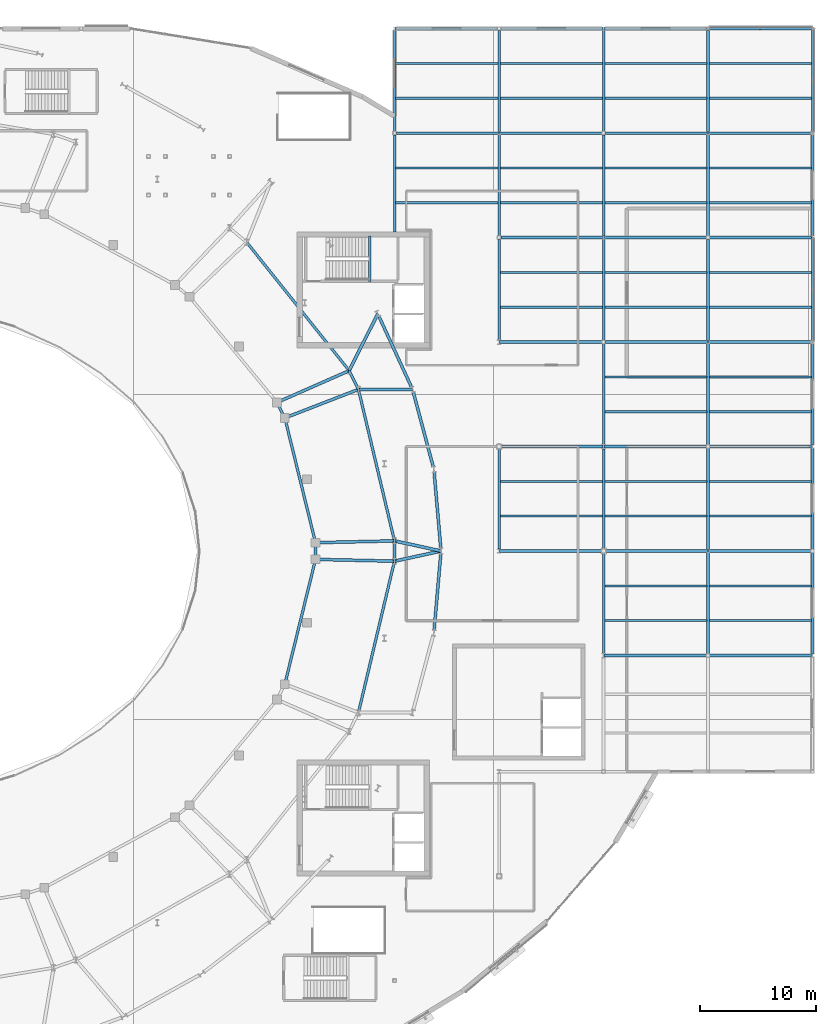
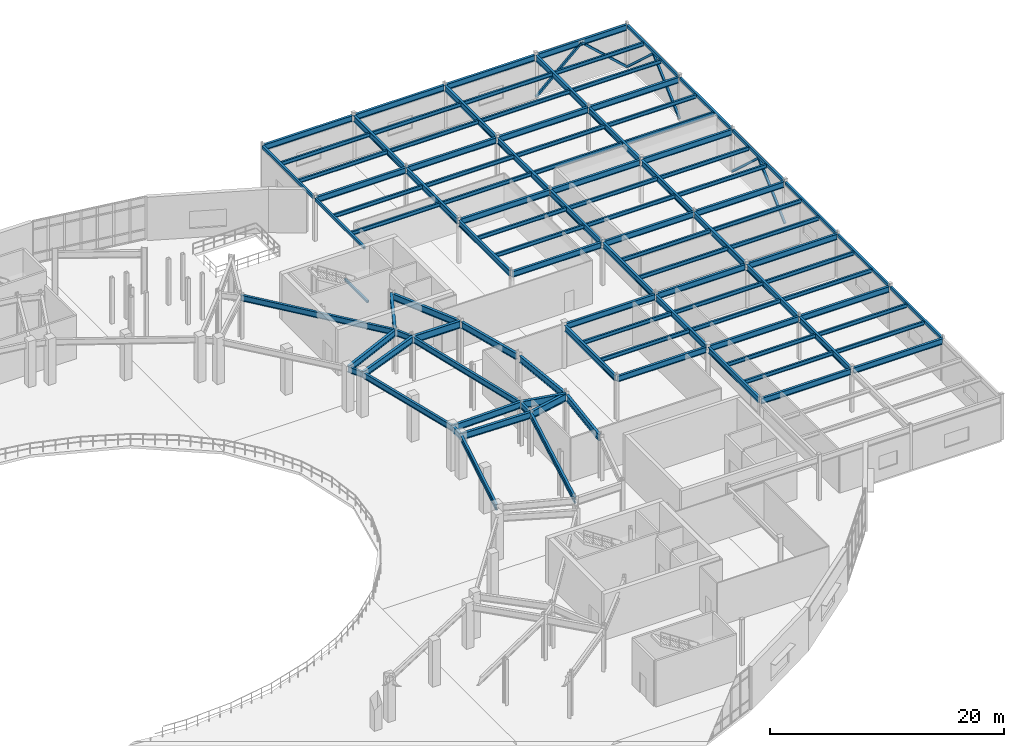
# One storey, part 51 of 86: 104 beams, 6 members.
"""IFC4 building model written with IfcOpenShell, lengths in metres."""

import ifcopenshell
import ifcopenshell.guid

model = None  # the IFC model being written
_history = None  # IfcOwnerHistory: only IFC2X3 demands one
_inside = {}  # id of a spatial element -> (the spatial element, [elements in it])
_under = {}  # id of a project, library or spatial element -> (it, [spatial elements below it])
_declared = {}  # id of a project -> (the project, [libraries it declares])
_typed = {}  # id of a type object -> (the type object, [elements of that type])
_made_of = {}  # id of a material, layer set ... -> (it, [elements and type objects made of it])


def new_model(schema):
    """Start an empty IFC model of exactly this schema.

    Asked for "IFC4X3", IfcOpenShell would pick the latest addendum, in which some entities
    have other attributes; the version numbers below select the first issue.
    IFC2X3 requires an IfcOwnerHistory on every rooted entity: one is made here for all.
    """
    global model, _history
    if schema == "IFC4X3":
        model = ifcopenshell.file(schema_version=(4, 3, 0, 0))
    else:
        model = ifcopenshell.file(schema=schema)
    _inside.clear()
    _under.clear()
    _declared.clear()
    _typed.clear()
    _made_of.clear()
    _history = None
    if model.schema == "IFC2X3":
        org = make("IfcOrganization", Name="unknown")
        user = make(
            "IfcPersonAndOrganization",
            ThePerson=make("IfcPerson", FamilyName="unknown"),
            TheOrganization=org,
        )
        app = make(
            "IfcApplication",
            ApplicationDeveloper=org,
            Version="unknown",
            ApplicationFullName="unknown",
            ApplicationIdentifier="unknown",
        )
        _history = make(
            "IfcOwnerHistory",
            OwningUser=user,
            OwningApplication=app,
            ChangeAction="ADDED",
            CreationDate=0,
        )
    return model


def make(cls, **values):
    """One entity of the class cls with the attributes given. An attribute that is None is left unset."""
    return model.create_entity(
        cls, **{name: value for name, value in values.items() if value is not None}
    )


def rooted(cls, **values):
    """An entity with a GlobalId (a new one), such as an element, a storey or a relation."""
    return make(cls, GlobalId=ifcopenshell.guid.new(), OwnerHistory=_history, **values)


def si_unit(unit_type, name, prefix=None):
    """IfcSIUnit, for example si_unit("LENGTHUNIT", "METRE", prefix="MILLI")."""
    return make("IfcSIUnit", UnitType=unit_type, Prefix=prefix, Name=name)


def assignment(units):
    """IfcUnitAssignment: the units of a project."""
    return None if units is None else make("IfcUnitAssignment", Units=units)


def point(xyz):
    """IfcCartesianPoint."""
    return None if xyz is None else make("IfcCartesianPoint", Coordinates=xyz)


def direction(xyz):
    """IfcDirection."""
    return None if xyz is None else make("IfcDirection", DirectionRatios=xyz)


def frame(location, z_axis=None, x_axis=None):
    """IfcAxis2Placement3D, a coordinate frame: its origin and axes. An axis left out is left unset."""
    return make(
        "IfcAxis2Placement3D",
        Location=point(location),
        Axis=direction(z_axis),
        RefDirection=direction(x_axis),
    )


def frame_2d(location, x_axis=None):
    """IfcAxis2Placement2D, a coordinate frame in the plane: its origin and x axis."""
    return make(
        "IfcAxis2Placement2D", Location=point(location), RefDirection=direction(x_axis)
    )


def origin():
    """The frame at (0, 0, 0) with its axes left unset."""
    return frame((0.0, 0.0, 0.0))


def origin_2d():
    """The frame at (0, 0) in the plane with its x axis left unset."""
    return frame_2d((0.0, 0.0))


def place(relative_to, where):
    """IfcLocalPlacement: puts the frame where relative to a parent placement (None: the world)."""
    return make(
        "IfcLocalPlacement", PlacementRelTo=relative_to, RelativePlacement=where
    )


def context(
    kind, dimensions, precision=None, world=None, true_north=None, identifier=None
):
    """IfcGeometricRepresentationContext, for example the 3D "Model" context."""
    return make(
        "IfcGeometricRepresentationContext",
        ContextIdentifier=identifier,
        ContextType=kind,
        CoordinateSpaceDimension=dimensions,
        Precision=precision,
        WorldCoordinateSystem=world,
        TrueNorth=true_north,
    )


def subcontext(parent, identifier, kind, view, scale=None):
    """IfcGeometricRepresentationSubContext, for example "Body" below "Model"."""
    return make(
        "IfcGeometricRepresentationSubContext",
        ContextIdentifier=identifier,
        ContextType=kind,
        ParentContext=parent,
        TargetScale=scale,
        TargetView=view,
    )


def project(units=None, contexts=None):
    """IfcProject with its units and contexts."""
    return rooted(
        "IfcProject",
        Name="project",
        RepresentationContexts=contexts,
        UnitsInContext=assignment(units),
    )


def spatial(cls, under=None, at=None, **own):
    """A site, building, storey or space (cls), placed at a placement, below another one or the project."""
    s = rooted(cls, ObjectPlacement=at, **own)
    if under is not None:
        _under.setdefault(under.id(), (under, []))[1].append(s)
    return s


def profile(cls, at=None, kind="AREA", **sizes):
    """A parametric profile (cls). Its sizes go by their IFC names, for example OverallWidth=200.0."""
    return make(cls, ProfileType=kind, Position=at, **sizes)


def hollow_rectangle(**sizes):
    """IfcRectangleHollowProfileDef."""
    return profile("IfcRectangleHollowProfileDef", **sizes)


def i_section(**sizes):
    """IfcIShapeProfileDef."""
    return profile("IfcIShapeProfileDef", **sizes)


def extrude(swept, where, along, depth):
    """IfcExtrudedAreaSolid: the profile swept, set in the frame where, extruded along a direction by depth."""
    return make(
        "IfcExtrudedAreaSolid",
        SweptArea=swept,
        Position=where,
        ExtrudedDirection=direction(along),
        Depth=depth,
    )


def shape(context_of_items, identifier, shape_type, items):
    """IfcShapeRepresentation: the items that make up one representation, for example the "Body"."""
    return make(
        "IfcShapeRepresentation",
        ContextOfItems=context_of_items,
        RepresentationIdentifier=identifier,
        RepresentationType=shape_type,
        Items=items,
    )


def material(Name=None, Category=None):
    """IfcMaterial."""
    return make("IfcMaterial", Name=Name, Category=Category)


def material_profile(
    of_material, cross_section, Name=None, Category=None, Priority=None
):
    """IfcMaterialProfile: a cross section and its material."""
    return make(
        "IfcMaterialProfile",
        Name=Name,
        Material=of_material,
        Profile=cross_section,
        Priority=Priority,
        Category=Category,
    )


def profile_set(profiles, Name=None, composite=None):
    """IfcMaterialProfileSet."""
    return make(
        "IfcMaterialProfileSet",
        Name=Name,
        MaterialProfiles=profiles,
        CompositeProfile=composite,
    )


def made_of(thing, what):
    """Note that an element or type object is made of a material, layer set ...; save() writes the relation."""
    if what is not None:
        _made_of.setdefault(what.id(), (what, []))[1].append(thing)
    return thing


def type_object(cls, material=None, **own):
    """A type object (cls), such as IfcWallType, which elements share."""
    return made_of(rooted(cls, **own), material)


def element(
    cls,
    number,
    at=None,
    inside=None,
    cuts=None,
    type_object=None,
    material=None,
    context=None,
    identifier="Body",
    shape_type=None,
    held_by="IfcProductDefinitionShape",
    body=None,
    shapes=None,
    **own,
):
    """One element of the class cls, such as IfcWall. Its Tag is "e" and its number.

    at: its placement. inside: the storey or other place that contains it. cuts: it is an
    opening in that element (IfcRelVoidsElement). A single representation is given by context,
    identifier, shape_type and body (its items); several are given by shapes. held_by: the class
    of the entity that holds the representations. save() writes the other relations.
    """
    e = rooted(cls, Tag="e%d" % number, ObjectPlacement=at, **own)
    if body is not None:
        shapes = [shape(context, identifier, shape_type, body)]
    if shapes is not None:
        e.Representation = make(held_by, Representations=shapes)
    if inside is not None:
        _inside.setdefault(inside.id(), (inside, []))[1].append(e)
    if cuts is not None:
        rooted(
            "IfcRelVoidsElement", RelatingBuildingElement=cuts, RelatedOpeningElement=e
        )
    if type_object is not None:
        _typed.setdefault(type_object.id(), (type_object, []))[1].append(e)
    return made_of(e, material)


def aggregate(whole, parts):
    """IfcRelAggregates: a whole, such as a stair, and the parts it consists of."""
    return rooted("IfcRelAggregates", RelatingObject=whole, RelatedObjects=parts)


def save(model, path):
    """Write the relations noted so far, then the file.

    IfcRelAggregates (storeys below a building ...), IfcRelContainedInSpatialStructure (elements
    in a storey), IfcRelDefinesByType, IfcRelAssociatesMaterial and IfcRelDeclares: one each for
    every whole, place, type object, material and project.
    """
    for whole, parts in _under.values():
        aggregate(whole, parts)
    for where, things in _inside.values():
        rooted(
            "IfcRelContainedInSpatialStructure",
            RelatedElements=things,
            RelatingStructure=where,
        )
    for kind, things in _typed.values():
        rooted("IfcRelDefinesByType", RelatedObjects=things, RelatingType=kind)
    for what, things in _made_of.values():
        rooted("IfcRelAssociatesMaterial", RelatedObjects=things, RelatingMaterial=what)
    for by, libraries in _declared.values():
        rooted("IfcRelDeclares", RelatingContext=by, RelatedDefinitions=libraries)
    model.write(path)


model = new_model("IFC4")

# Units and contexts
model_context = context("Model", 3, precision=1e-05, world=origin(), true_north=direction((0.0, 1.0)))
body_context = subcontext(model_context, "Body", "Model", "MODEL_VIEW")
ifc_project = project(units=[si_unit("LENGTHUNIT", "METRE"), si_unit("AREAUNIT", "SQUARE_METRE"), si_unit("VOLUMEUNIT", "CUBIC_METRE"), si_unit("PLANEANGLEUNIT", "RADIAN"), si_unit("MASSUNIT", "GRAM", prefix="KILO")], contexts=[model_context])

# Site, building, storey
site_placement = place(None, origin())
site = spatial("IfcSite", under=ifc_project, at=site_placement, CompositionType="ELEMENT")
building_placement = place(site_placement, origin())
building = spatial("IfcBuilding", under=site, at=building_placement, Name="Glasvene Arena", CompositionType="ELEMENT")
storey_placement = place(building_placement, frame((0.0, 0.0, 5.39990234375)))
storey = spatial("IfcBuildingStorey", under=building, at=storey_placement, Name="L01", CompositionType="ELEMENT", Elevation=5.39990234375)

# Beams
ifc_material = material(Name="Steel S355J2", Category="steel")
ifc_material_profile_1 = material_profile(ifc_material, i_section(OverallWidth=0.228271484375, OverallDepth=0.607666015625, WebThickness=0.010986328125, FlangeThickness=0.017333984375, FilletRadius=0.0126953125, at=origin_2d()), Name="UKB 610x229x113")
ifc_profile_set_1 = profile_set([ifc_material_profile_1], Name="Steel S355J2")
beam_type_1 = type_object("IfcBeamType", Name="BM-GIRD-610", PredefinedType="BEAM", material=ifc_profile_set_1)
for number, where, z_axis, x_axis, name in (
    (1, (156.050048828125, 64.0, 4.21630859375), (1.0, 0.0, 0.0), (0.0, 1.0, 0.0), "Primary X girder L01-0564"),
    (2, (165.14501953125, 64.0, 4.21630859375), (1.0, 0.0, 0.0), (0.0, 1.0, 0.0), "Primary X girder L01-0565"),
):
    element("IfcBeam", number, at=place(storey_placement, frame(where, z_axis=z_axis, x_axis=x_axis)), inside=storey, type_object=beam_type_1, Name=name, PredefinedType="BEAM", context=body_context, shape_type="SweptSolid", body=[
        extrude(i_section(OverallWidth=0.228271484375, OverallDepth=0.607666015625, WebThickness=0.010986328125, FlangeThickness=0.017333984375, FilletRadius=0.0126953125, at=origin_2d()), origin(), (0.0, 0.0, 1.0), 8.804931640625),
    ])
for number, where, z_axis, x_axis, name in (
    (3, (147.050048828125, 73.0, 4.21630859375), (1.0, 0.0, 0.0), (0.0, 1.0, 0.0), "Primary X girder L01-0569"),
    (4, (156.1982421875, 73.0, 4.21630859375), (1.0, 0.0, 0.0), (0.0, 1.0, 0.0), "Primary X girder L01-0570"),
):
    element("IfcBeam", number, at=place(storey_placement, frame(where, z_axis=z_axis, x_axis=x_axis)), inside=storey, type_object=beam_type_1, Name=name, PredefinedType="BEAM", context=body_context, shape_type="SweptSolid", body=[
        extrude(i_section(OverallWidth=0.228271484375, OverallDepth=0.607666015625, WebThickness=0.010986328125, FlangeThickness=0.017333984375, FilletRadius=0.0126953125, at=origin_2d()), origin(), (0.0, 0.0, 1.0), 8.751708984375),
    ])
beam_1_placement = place(storey_placement, frame((165.050048828125, 73.0, 4.21630859375), z_axis=(1.0, 0.0, 0.0), x_axis=(0.0, 1.0, 0.0)))
element("IfcBeam", 5, at=beam_1_placement, inside=storey, type_object=beam_type_1, Name="Primary X girder L01-0571", PredefinedType="BEAM", context=body_context, shape_type="SweptSolid", body=[
    extrude(i_section(OverallWidth=0.228271484375, OverallDepth=0.607666015625, WebThickness=0.010986328125, FlangeThickness=0.017333984375, FilletRadius=0.0126953125, at=origin_2d()), origin(), (0.0, 0.0, 1.0), 8.804931640625),
])
beam_2_placement = place(storey_placement, frame((147.223388671875, 82.0, 4.21630859375), z_axis=(1.0, 0.0, 0.0), x_axis=(0.0, 1.0, 0.0)))
element("IfcBeam", 6, at=beam_2_placement, inside=storey, type_object=beam_type_1, Name="Primary X girder L01-0572", PredefinedType="BEAM", context=body_context, shape_type="SweptSolid", body=[
    extrude(i_section(OverallWidth=0.228271484375, OverallDepth=0.607666015625, WebThickness=0.010986328125, FlangeThickness=0.017333984375, FilletRadius=0.0126953125, at=origin_2d()), origin(), (0.0, 0.0, 1.0), 8.7265625),
])
for number, where, z_axis, x_axis, name in (
    (7, (156.050048828125, 82.0, 4.21630859375), (1.0, 0.0, 0.0), (0.0, 1.0, 0.0), "Primary X girder L01-0573"),
    (8, (165.14501953125, 82.0, 4.21630859375), (1.0, 0.0, 0.0), (0.0, 1.0, 0.0), "Primary X girder L01-0574"),
    (9, (147.050048828125, 91.0, 4.21630859375), (1.0, 0.0, 0.0), (0.0, 1.0, 0.0), "Primary X girder L01-0575"),
    (10, (156.14501953125, 91.0, 4.21630859375), (1.0, 0.0, 0.0), (0.0, 1.0, 0.0), "Primary X girder L01-0576"),
    (11, (165.050048828125, 91.0, 4.21630859375), (1.0, 0.0, 0.0), (0.0, 1.0, 0.0), "Primary X girder L01-0577"),
    (12, (147.14501953125, 100.0, 4.21630859375), (1.0, 0.0, 0.0), (0.0, 1.0, 0.0), "Primary X girder L01-0578"),
    (13, (156.050048828125, 100.0, 4.21630859375), (1.0, 0.0, 0.0), (0.0, 1.0, 0.0), "Primary X girder L01-0579"),
    (14, (165.14501953125, 100.0, 4.21630859375), (1.0, 0.0, 0.0), (0.0, 1.0, 0.0), "Primary X girder L01-0580"),
    (15, (138.14501953125, 109.0, 4.21630859375), (1.0, 0.0, 0.0), (0.0, 1.0, 0.0), "Primary X girder L01-0586"),
    (16, (147.050048828125, 109.0, 4.21630859375), (1.0, 0.0, 0.0), (0.0, 1.0, 0.0), "Primary X girder L01-0587"),
    (17, (156.14501953125, 109.0, 4.21630859375), (1.0, 0.0, 0.0), (0.0, 1.0, 0.0), "Primary X girder L01-0588"),
    (18, (165.050048828125, 109.0, 4.21630859375), (1.0, 0.0, 0.0), (0.0, 1.0, 0.0), "Primary X girder L01-0589"),
    (19, (138.050048828125, 118.0, 4.21630859375), (1.0, 0.0, 0.0), (0.0, 1.0, 0.0), "Primary X girder L01-0595"),
    (20, (147.14501953125, 118.0, 4.21630859375), (1.0, 0.0, 0.0), (0.0, 1.0, 0.0), "Primary X girder L01-0596"),
    (21, (156.050048828125, 118.0, 4.21630859375), (1.0, 0.0, 0.0), (0.0, 1.0, 0.0), "Primary X girder L01-0597"),
    (22, (165.14501953125, 118.0, 4.21630859375), (1.0, 0.0, 0.0), (0.0, 1.0, 0.0), "Primary X girder L01-0598"),
):
    element("IfcBeam", number, at=place(storey_placement, frame(where, z_axis=z_axis, x_axis=x_axis)), inside=storey, type_object=beam_type_1, Name=name, PredefinedType="BEAM", context=body_context, shape_type="SweptSolid", body=[
        extrude(i_section(OverallWidth=0.228271484375, OverallDepth=0.607666015625, WebThickness=0.010986328125, FlangeThickness=0.017333984375, FilletRadius=0.0126953125, at=origin_2d()), origin(), (0.0, 0.0, 1.0), 8.804931640625),
    ])
beam_3_placement = place(storey_placement, frame((147.0, 73.1552734375, 4.21630859375), z_axis=(0.0, 1.0, 0.0), x_axis=(-1.0, 0.0, 0.0)))
element("IfcBeam", 23, at=beam_3_placement, inside=storey, type_object=beam_type_1, Name="Primary Y girder L01-0651", PredefinedType="BEAM", context=body_context, shape_type="SweptSolid", body=[
    extrude(i_section(OverallWidth=0.228271484375, OverallDepth=0.607666015625, WebThickness=0.010986328125, FlangeThickness=0.017333984375, FilletRadius=0.0126953125, at=origin_2d()), origin(), (0.0, 0.0, 1.0), 8.621337890625),
])
beam_4_placement = place(storey_placement, frame((147.0, 91.195068359375, 4.21630859375), z_axis=(0.0, 1.0, 0.0), x_axis=(-1.0, 0.0, 0.0)))
element("IfcBeam", 24, at=beam_4_placement, inside=storey, type_object=beam_type_1, Name="Primary Y girder L01-0652", PredefinedType="BEAM", context=body_context, shape_type="SweptSolid", body=[
    extrude(i_section(OverallWidth=0.228271484375, OverallDepth=0.607666015625, WebThickness=0.010986328125, FlangeThickness=0.017333984375, FilletRadius=0.0126953125, at=origin_2d()), origin(), (0.0, 0.0, 1.0), 8.659912109375),
])
for number, where, z_axis, x_axis, name in (
    (25, (147.0, 100.14501953125, 4.21630859375), (0.0, 1.0, 0.0), (-1.0, 0.0, 0.0), "Primary Y girder L01-0653"),
    (26, (147.0, 109.125244140625, 4.21630859375), (0.0, 1.0, 0.0), (-1.0, 0.0, 0.0), "Primary Y girder L01-0654"),
):
    element("IfcBeam", number, at=place(storey_placement, frame(where, z_axis=z_axis, x_axis=x_axis)), inside=storey, type_object=beam_type_1, Name=name, PredefinedType="BEAM", context=body_context, shape_type="SweptSolid", body=[
        extrude(i_section(OverallWidth=0.228271484375, OverallDepth=0.607666015625, WebThickness=0.010986328125, FlangeThickness=0.017333984375, FilletRadius=0.0126953125, at=origin_2d()), origin(), (0.0, 0.0, 1.0), 8.729736328125),
    ])
for number, where, z_axis, x_axis, name in (
    (27, (156.0, 64.195068359375, 4.21630859375), (0.0, 1.0, 0.0), (-1.0, 0.0, 0.0), "Primary Y girder L01-0656"),
    (28, (156.0, 73.1982421875, 4.21630859375), (0.0, 1.0, 0.0), (-1.0, 0.0, 0.0), "Primary Y girder L01-0657"),
):
    element("IfcBeam", number, at=place(storey_placement, frame(where, z_axis=z_axis, x_axis=x_axis)), inside=storey, type_object=beam_type_1, Name=name, PredefinedType="BEAM", context=body_context, shape_type="SweptSolid", body=[
        extrude(i_section(OverallWidth=0.228271484375, OverallDepth=0.607666015625, WebThickness=0.010986328125, FlangeThickness=0.017333984375, FilletRadius=0.0126953125, at=origin_2d()), origin(), (0.0, 0.0, 1.0), 8.606689453125),
    ])
beam_5_placement = place(storey_placement, frame((156.0, 82.195068359375, 4.21630859375), z_axis=(0.0, 1.0, 0.0), x_axis=(-1.0, 0.0, 0.0)))
element("IfcBeam", 29, at=beam_5_placement, inside=storey, type_object=beam_type_1, Name="Primary Y girder L01-0658", PredefinedType="BEAM", context=body_context, shape_type="SweptSolid", body=[
    extrude(i_section(OverallWidth=0.228271484375, OverallDepth=0.607666015625, WebThickness=0.010986328125, FlangeThickness=0.017333984375, FilletRadius=0.0126953125, at=origin_2d()), origin(), (0.0, 0.0, 1.0), 8.659912109375),
])
for number, where, z_axis, x_axis, name in (
    (30, (156.0, 91.14501953125, 4.21630859375), (0.0, 1.0, 0.0), (-1.0, 0.0, 0.0), "Primary Y girder L01-0659"),
    (31, (156.0, 100.125244140625, 4.21630859375), (0.0, 1.0, 0.0), (-1.0, 0.0, 0.0), "Primary Y girder L01-0660"),
    (32, (156.0, 109.14501953125, 4.21630859375), (0.0, 1.0, 0.0), (-1.0, 0.0, 0.0), "Primary Y girder L01-0661"),
    (33, (165.0, 64.14501953125, 4.21630859375), (0.0, 1.0, 0.0), (-1.0, 0.0, 0.0), "Primary Y girder L01-0663"),
    (34, (165.0, 73.125244140625, 4.21630859375), (0.0, 1.0, 0.0), (-1.0, 0.0, 0.0), "Primary Y girder L01-0664"),
    (35, (165.0, 82.14501953125, 4.21630859375), (0.0, 1.0, 0.0), (-1.0, 0.0, 0.0), "Primary Y girder L01-0665"),
    (36, (165.0, 91.125244140625, 4.21630859375), (0.0, 1.0, 0.0), (-1.0, 0.0, 0.0), "Primary Y girder L01-0666"),
    (37, (165.0, 100.14501953125, 4.21630859375), (0.0, 1.0, 0.0), (-1.0, 0.0, 0.0), "Primary Y girder L01-0667"),
    (38, (165.0, 109.125244140625, 4.21630859375), (0.0, 1.0, 0.0), (-1.0, 0.0, 0.0), "Primary Y girder L01-0668"),
):
    element("IfcBeam", number, at=place(storey_placement, frame(where, z_axis=z_axis, x_axis=x_axis)), inside=storey, type_object=beam_type_1, Name=name, PredefinedType="BEAM", context=body_context, shape_type="SweptSolid", body=[
        extrude(i_section(OverallWidth=0.228271484375, OverallDepth=0.607666015625, WebThickness=0.010986328125, FlangeThickness=0.017333984375, FilletRadius=0.0126953125, at=origin_2d()), origin(), (0.0, 0.0, 1.0), 8.729736328125),
    ])
beam_6_placement = place(storey_placement, frame((137.98828125, 73.87353515625, 4.215087890625), z_axis=(-0.23122513322, 0.972900271234, 0.0), x_axis=(-0.972900271234, -0.23122513322, 0.0)))
element("IfcBeam", 39, at=beam_6_placement, inside=storey, type_object=beam_type_1, Name="Concourse inner ring girder L01-01", PredefinedType="BEAM", context=body_context, shape_type="SweptSolid", body=[
    extrude(i_section(OverallWidth=0.228271484375, OverallDepth=0.607666015625, WebThickness=0.010986328125, FlangeThickness=0.017333984375, FilletRadius=0.0126953125, at=origin_2d()), origin(), (0.0, 0.0, 1.0), 13.41259765625),
])
beam_7_placement = place(storey_placement, frame((131.18994140625, 73.71923828125, 4.215087890625), z_axis=(-0.23885804662, 0.971054495672, 0.0), x_axis=(-0.971054495672, -0.23885804662, 0.0)))
element("IfcBeam", 40, at=beam_7_placement, inside=storey, type_object=beam_type_1, Name="Mid-bowl ring girder L01-01", PredefinedType="BEAM", context=body_context, shape_type="SweptSolid", body=[
    extrude(i_section(OverallWidth=0.228271484375, OverallDepth=0.607666015625, WebThickness=0.010986328125, FlangeThickness=0.017333984375, FilletRadius=0.0126953125, at=origin_2d()), origin(), (0.0, 0.0, 1.0), 11.064453125),
])
beam_8_placement = place(storey_placement, frame((134.886962890625, 86.922607421875, 4.215087890625), z_axis=(-0.443576698242, 0.896236415672, 0.0), x_axis=(-0.896236415672, -0.443576698242, 0.0)))
element("IfcBeam", 41, at=beam_8_placement, inside=storey, type_object=beam_type_1, Name="Concourse inner ring girder L01-02", PredefinedType="BEAM", context=body_context, shape_type="SweptSolid", body=[
    extrude(i_section(OverallWidth=0.228271484375, OverallDepth=0.607666015625, WebThickness=0.010986328125, FlangeThickness=0.017333984375, FilletRadius=0.0126953125, at=origin_2d()), origin(), (0.0, 0.0, 1.0), 1.80078125),
])
beam_9_placement = place(storey_placement, frame((128.547119140625, 84.46337890625, 4.215087890625), z_axis=(-0.455825325707, 0.890069251488, 0.0), x_axis=(-0.890069251488, -0.455825325707, 0.0)))
element("IfcBeam", 42, at=beam_9_placement, inside=storey, type_object=beam_type_1, Name="Mid-bowl ring girder L01-02", PredefinedType="BEAM", context=body_context, shape_type="SweptSolid", body=[
    extrude(i_section(OverallWidth=0.228271484375, OverallDepth=0.607666015625, WebThickness=0.010986328125, FlangeThickness=0.017333984375, FilletRadius=0.0126953125, at=origin_2d()), origin(), (0.0, 0.0, 1.0), 1.4931640625),
])
beam_10_placement = place(storey_placement, frame((134.088134765625, 88.53662109375, 4.215087890625), z_axis=(-0.623899670594, 0.781504447226, 0.0), x_axis=(-0.781504447226, -0.623899670594, 0.0)))
element("IfcBeam", 43, at=beam_10_placement, inside=storey, type_object=beam_type_1, Name="Concourse inner ring girder L01-03", PredefinedType="BEAM", context=body_context, shape_type="SweptSolid", body=[
    extrude(i_section(OverallWidth=0.228271484375, OverallDepth=0.607666015625, WebThickness=0.010986328125, FlangeThickness=0.017333984375, FilletRadius=0.0126953125, at=origin_2d()), origin(), (0.0, 0.0, 1.0), 14.1552734375),
])
beam_11_placement = place(storey_placement, frame((134.886962890625, 59.077392578125, 4.215087890625), z_axis=(0.23122513322, 0.972900271234, 0.0), x_axis=(-0.972900271234, 0.23122513322, 0.0)))
element("IfcBeam", 44, at=beam_11_placement, inside=storey, type_object=beam_type_1, Name="Concourse inner ring girder L01-31", PredefinedType="BEAM", context=body_context, shape_type="SweptSolid", body=[
    extrude(i_section(OverallWidth=0.228271484375, OverallDepth=0.607666015625, WebThickness=0.010986328125, FlangeThickness=0.017333984375, FilletRadius=0.0126953125, at=origin_2d()), origin(), (0.0, 0.0, 1.0), 13.41259765625),
])
beam_12_placement = place(storey_placement, frame((128.547119140625, 61.53662109375, 4.215087890625), z_axis=(0.23885804662, 0.971054495672, 0.0), x_axis=(-0.971054495672, 0.23885804662, 0.0)))
element("IfcBeam", 45, at=beam_12_placement, inside=storey, type_object=beam_type_1, Name="Mid-bowl ring girder L01-31", PredefinedType="BEAM", context=body_context, shape_type="SweptSolid", body=[
    extrude(i_section(OverallWidth=0.228271484375, OverallDepth=0.607666015625, WebThickness=0.010986328125, FlangeThickness=0.017333984375, FilletRadius=0.0126953125, at=origin_2d()), origin(), (0.0, 0.0, 1.0), 11.064453125),
])
beam_13_placement = place(storey_placement, frame((137.98828125, 72.12646484375, 4.215087890625), z_axis=(0.0, 1.0, 0.0), x_axis=(-1.0, 0.0, 0.0)))
element("IfcBeam", 46, at=beam_13_placement, inside=storey, type_object=beam_type_1, Name="Concourse inner ring girder L01-32", PredefinedType="BEAM", context=body_context, shape_type="SweptSolid", body=[
    extrude(i_section(OverallWidth=0.228271484375, OverallDepth=0.607666015625, WebThickness=0.010986328125, FlangeThickness=0.017333984375, FilletRadius=0.0126953125, at=origin_2d()), origin(), (0.0, 0.0, 1.0), 1.7470703125),
])
beam_14_placement = place(storey_placement, frame((131.18994140625, 72.28076171875, 4.215087890625), z_axis=(0.0, 1.0, 0.0), x_axis=(-1.0, 0.0, 0.0)))
element("IfcBeam", 47, at=beam_14_placement, inside=storey, type_object=beam_type_1, Name="Mid-bowl ring girder L01-32", PredefinedType="BEAM", context=body_context, shape_type="SweptSolid", body=[
    extrude(i_section(OverallWidth=0.228271484375, OverallDepth=0.607666015625, WebThickness=0.010986328125, FlangeThickness=0.017333984375, FilletRadius=0.0126953125, at=origin_2d()), origin(), (0.0, 0.0, 1.0), 1.4384765625),
])
ifc_material_profile_2 = material_profile(ifc_material, i_section(OverallWidth=0.253662109375, OverallDepth=0.68359375, WebThickness=0.012451171875, FlangeThickness=0.01904296875, FilletRadius=0.01513671875, at=origin_2d()), Name="UKB 686x254x140")
ifc_profile_set_2 = profile_set([ifc_material_profile_2], Name="Steel S355J2")
beam_type_2 = type_object("IfcBeamType", Name="BM-GIRD-686", PredefinedType="BEAM", material=ifc_profile_set_2)
beam_15_placement = place(storey_placement, frame((141.97900390625, 73.239013671875, 4.178466796875), z_axis=(-0.087106255104, 0.996199026461, 0.0), x_axis=(-0.996199026461, -0.087106255104, 0.0)))
element("IfcBeam", 48, at=beam_15_placement, inside=storey, type_object=beam_type_2, Name="Bowl ring chord beam L01-01", PredefinedType="BEAM", context=body_context, shape_type="SweptSolid", body=[
    extrude(i_section(OverallWidth=0.253662109375, OverallDepth=0.68359375, WebThickness=0.012451171875, FlangeThickness=0.01904296875, FilletRadius=0.01513671875, at=origin_2d()), origin(), (0.0, 0.0, 1.0), 6.586669921875),
])
beam_16_placement = place(storey_placement, frame((141.322509765625, 80.271484375, 4.178466796875), z_axis=(-0.257729153992, 0.966217202901, 0.0), x_axis=(-0.966217202901, -0.257729153992, 0.0)))
element("IfcBeam", 49, at=beam_16_placement, inside=storey, type_object=beam_type_2, Name="Bowl ring chord beam L01-02", PredefinedType="BEAM", context=body_context, shape_type="SweptSolid", body=[
    extrude(i_section(OverallWidth=0.253662109375, OverallDepth=0.68359375, WebThickness=0.012451171875, FlangeThickness=0.01904296875, FilletRadius=0.01513671875, at=origin_2d()), origin(), (0.0, 0.0, 1.0), 6.626220703125),
])
beam_17_placement = place(storey_placement, frame((139.452392578125, 87.123779296875, 4.178466796875), z_axis=(-0.418069169042, 0.908415196866, 0.0), x_axis=(-0.908415196866, -0.418069169042, 0.0)))
element("IfcBeam", 50, at=beam_17_placement, inside=storey, type_object=beam_type_2, Name="Bowl ring chord beam L01-03", PredefinedType="BEAM", context=body_context, shape_type="SweptSolid", body=[
    extrude(i_section(OverallWidth=0.253662109375, OverallDepth=0.68359375, WebThickness=0.012451171875, FlangeThickness=0.01904296875, FilletRadius=0.01513671875, at=origin_2d()), origin(), (0.0, 0.0, 1.0), 6.70166015625),
])
beam_18_placement = place(storey_placement, frame((141.4052734375, 66.199462890625, 4.178466796875), z_axis=(0.087106255104, 0.996199026461, 0.0), x_axis=(-0.996199026461, 0.087106255104, 0.0)))
element("IfcBeam", 51, at=beam_18_placement, inside=storey, type_object=beam_type_2, Name="Bowl ring chord beam L01-40", PredefinedType="BEAM", context=body_context, shape_type="SweptSolid", body=[
    extrude(i_section(OverallWidth=0.253662109375, OverallDepth=0.68359375, WebThickness=0.012451171875, FlangeThickness=0.01904296875, FilletRadius=0.01513671875, at=origin_2d()), origin(), (0.0, 0.0, 1.0), 6.586669921875),
])
for number, where, z_axis, x_axis, name in (
    (52, (131.18994140625, 73.71923828125, 4.17822265625), (0.9997425394, 0.022690414598, 0.0), (-0.022690414598, 0.9997425394, 0.0), "Mid-to-rear radial girder L01-01"),
    (53, (128.547119140625, 84.46337890625, 4.17822265625), (0.932315610983, 0.361645685052, 0.0), (-0.361645685052, 0.932315610983, 0.0), "Mid-to-rear radial girder L01-02"),
    (54, (127.866455078125, 85.79248046875, 4.17822265625), (0.914956794247, 0.40355181162, 0.0), (-0.40355181162, 0.914956794247, 0.0), "Mid-to-rear radial girder L01-03"),
    (55, (131.18994140625, 72.28076171875, 4.17822265625), (0.9997425394, -0.022690414598, 0.0), (0.022690414598, 0.9997425394, 0.0), "Mid-to-rear radial girder L01-32"),
):
    element("IfcBeam", number, at=place(storey_placement, frame(where, z_axis=z_axis, x_axis=x_axis)), inside=storey, type_object=beam_type_2, Name=name, PredefinedType="BEAM", context=body_context, shape_type="SweptSolid", body=[
        extrude(i_section(OverallWidth=0.253662109375, OverallDepth=0.68359375, WebThickness=0.012451171875, FlangeThickness=0.01904296875, FilletRadius=0.01513671875, at=origin_2d()), origin(), (0.0, 0.0, 1.0), 6.800048828125),
    ])
ifc_material_profile_3 = material_profile(ifc_material, i_section(OverallWidth=0.2666015625, OverallDepth=0.76220703125, WebThickness=0.014404296875, FlangeThickness=0.021484375, FilletRadius=0.0166015625, at=origin_2d()), Name="UKB 762x267x173")
ifc_profile_set_3 = profile_set([ifc_material_profile_3], Name="Steel S355J2")
beam_type_3 = type_object("IfcBeamType", Name="BM-GIRD-762", PredefinedType="BEAM", material=ifc_profile_set_3)
beam_19_placement = place(storey_placement, frame((137.98828125, 73.87353515625, 4.138916015625), z_axis=(0.977104393575, -0.212760438182, 0.0), x_axis=(0.212760438182, 0.977104393575, 0.0)))
element("IfcBeam", 56, at=beam_19_placement, inside=storey, type_object=beam_type_3, Name="Radial concourse girder L01-01", PredefinedType="BEAM", context=body_context, shape_type="SweptSolid", body=[
    extrude(i_section(OverallWidth=0.2666015625, OverallDepth=0.76220703125, WebThickness=0.014404296875, FlangeThickness=0.021484375, FilletRadius=0.0166015625, at=origin_2d()), origin(), (0.0, 0.0, 1.0), 4.105712890625),
])
beam_20_placement = place(storey_placement, frame((134.886962890625, 86.922607421875, 4.138916015625), z_axis=(0.999993482259, -0.003610462575, 0.0), x_axis=(0.003610462575, 0.999993482259, 0.0)))
element("IfcBeam", 57, at=beam_20_placement, inside=storey, type_object=beam_type_3, Name="Radial concourse girder L01-02", PredefinedType="BEAM", context=body_context, shape_type="SweptSolid", body=[
    extrude(i_section(OverallWidth=0.2666015625, OverallDepth=0.76220703125, WebThickness=0.014404296875, FlangeThickness=0.021484375, FilletRadius=0.0166015625, at=origin_2d()), origin(), (0.0, 0.0, 1.0), 4.665771484375),
])
beam_21_placement = place(storey_placement, frame((134.088134765625, 88.53662109375, 4.138916015625), z_axis=(0.449494152887, 0.893283273391, 0.0), x_axis=(-0.893283273391, 0.449494152887, 0.0)))
element("IfcBeam", 58, at=beam_21_placement, inside=storey, type_object=beam_type_3, Name="Radial concourse girder L01-03", PredefinedType="BEAM", context=body_context, shape_type="SweptSolid", body=[
    extrude(i_section(OverallWidth=0.2666015625, OverallDepth=0.76220703125, WebThickness=0.014404296875, FlangeThickness=0.021484375, FilletRadius=0.0166015625, at=origin_2d()), origin(), (0.0, 0.0, 1.0), 5.4775390625),
])
beam_22_placement = place(storey_placement, frame((137.98828125, 72.12646484375, 4.138916015625), z_axis=(0.977104393575, 0.212760438182, 0.0), x_axis=(-0.212760438182, 0.977104393575, 0.0)))
element("IfcBeam", 59, at=beam_22_placement, inside=storey, type_object=beam_type_3, Name="Radial concourse girder L01-32", PredefinedType="BEAM", context=body_context, shape_type="SweptSolid", body=[
    extrude(i_section(OverallWidth=0.2666015625, OverallDepth=0.76220703125, WebThickness=0.014404296875, FlangeThickness=0.021484375, FilletRadius=0.0166015625, at=origin_2d()), origin(), (0.0, 0.0, 1.0), 4.105712890625),
])
ifc_material_profile_4 = material_profile(ifc_material, i_section(OverallWidth=0.177978515625, OverallDepth=0.406494140625, WebThickness=0.0078125, FlangeThickness=0.0126953125, FilletRadius=0.01025390625, at=origin_2d()), Name="UKB 406x178x60")
ifc_profile_set_4 = profile_set([ifc_material_profile_4], Name="Steel S355J2")
beam_type_4 = type_object("IfcBeamType", Name="BM-JOIST-406", PredefinedType="JOIST", material=ifc_profile_set_4)
for number, where, z_axis, x_axis, name in (
    (60, (138.095947265625, 103.0, 4.31689453125), (1.0, 0.0, 0.0), (0.0, 1.0, 0.0), "Composite floor joist L01-0739"),
    (61, (138.095947265625, 106.0, 4.31689453125), (1.0, 0.0, 0.0), (0.0, 1.0, 0.0), "Composite floor joist L01-0740"),
    (62, (138.095947265625, 112.0, 4.31689453125), (1.0, 0.0, 0.0), (0.0, 1.0, 0.0), "Composite floor joist L01-0741"),
    (63, (138.095947265625, 115.0, 4.31689453125), (1.0, 0.0, 0.0), (0.0, 1.0, 0.0), "Composite floor joist L01-0742"),
):
    element("IfcBeam", number, at=place(storey_placement, frame(where, z_axis=z_axis, x_axis=x_axis)), inside=storey, type_object=beam_type_4, Name=name, PredefinedType="JOIST", context=body_context, shape_type="SweptSolid", body=[
        extrude(i_section(OverallWidth=0.177978515625, OverallDepth=0.406494140625, WebThickness=0.0078125, FlangeThickness=0.0126953125, FilletRadius=0.01025390625, at=origin_2d()), origin(), (0.0, 0.0, 1.0), 8.7939453125),
    ])
for number, where, z_axis, x_axis, name in (
    (64, (147.110107421875, 76.0, 4.31689453125), (1.0, 0.0, 0.0), (0.0, 1.0, 0.0), "Composite floor joist L01-0743"),
    (65, (147.110107421875, 79.0, 4.31689453125), (1.0, 0.0, 0.0), (0.0, 1.0, 0.0), "Composite floor joist L01-0744"),
    (66, (147.110107421875, 94.0, 4.31689453125), (1.0, 0.0, 0.0), (0.0, 1.0, 0.0), "Composite floor joist L01-0745"),
    (67, (147.110107421875, 97.0, 4.31689453125), (1.0, 0.0, 0.0), (0.0, 1.0, 0.0), "Composite floor joist L01-0746"),
    (68, (147.110107421875, 103.0, 4.31689453125), (1.0, 0.0, 0.0), (0.0, 1.0, 0.0), "Composite floor joist L01-0747"),
    (69, (147.110107421875, 106.0, 4.31689453125), (1.0, 0.0, 0.0), (0.0, 1.0, 0.0), "Composite floor joist L01-0748"),
    (70, (147.110107421875, 112.0, 4.31689453125), (1.0, 0.0, 0.0), (0.0, 1.0, 0.0), "Composite floor joist L01-0749"),
    (71, (147.110107421875, 115.0, 4.31689453125), (1.0, 0.0, 0.0), (0.0, 1.0, 0.0), "Composite floor joist L01-0750"),
    (72, (156.110107421875, 67.0, 4.31689453125), (1.0, 0.0, 0.0), (0.0, 1.0, 0.0), "Composite floor joist L01-0753"),
    (73, (156.110107421875, 70.0, 4.31689453125), (1.0, 0.0, 0.0), (0.0, 1.0, 0.0), "Composite floor joist L01-0754"),
    (74, (156.110107421875, 76.0, 4.31689453125), (1.0, 0.0, 0.0), (0.0, 1.0, 0.0), "Composite floor joist L01-0755"),
    (75, (156.110107421875, 79.0, 4.31689453125), (1.0, 0.0, 0.0), (0.0, 1.0, 0.0), "Composite floor joist L01-0756"),
    (76, (156.110107421875, 85.0, 4.31689453125), (1.0, 0.0, 0.0), (0.0, 1.0, 0.0), "Composite floor joist L01-0757"),
    (77, (156.110107421875, 88.0, 4.31689453125), (1.0, 0.0, 0.0), (0.0, 1.0, 0.0), "Composite floor joist L01-0758"),
    (78, (156.110107421875, 94.0, 4.31689453125), (1.0, 0.0, 0.0), (0.0, 1.0, 0.0), "Composite floor joist L01-0759"),
    (79, (156.110107421875, 97.0, 4.31689453125), (1.0, 0.0, 0.0), (0.0, 1.0, 0.0), "Composite floor joist L01-0760"),
    (80, (156.110107421875, 103.0, 4.31689453125), (1.0, 0.0, 0.0), (0.0, 1.0, 0.0), "Composite floor joist L01-0761"),
    (81, (156.110107421875, 106.0, 4.31689453125), (1.0, 0.0, 0.0), (0.0, 1.0, 0.0), "Composite floor joist L01-0762"),
    (82, (156.110107421875, 112.0, 4.31689453125), (1.0, 0.0, 0.0), (0.0, 1.0, 0.0), "Composite floor joist L01-0763"),
    (83, (156.110107421875, 115.0, 4.31689453125), (1.0, 0.0, 0.0), (0.0, 1.0, 0.0), "Composite floor joist L01-0764"),
):
    element("IfcBeam", number, at=place(storey_placement, frame(where, z_axis=z_axis, x_axis=x_axis)), inside=storey, type_object=beam_type_4, Name=name, PredefinedType="JOIST", context=body_context, shape_type="SweptSolid", body=[
        extrude(i_section(OverallWidth=0.177978515625, OverallDepth=0.406494140625, WebThickness=0.0078125, FlangeThickness=0.0126953125, FilletRadius=0.01025390625, at=origin_2d()), origin(), (0.0, 0.0, 1.0), 8.77978515625),
    ])
for number, where, z_axis, x_axis, name in (
    (84, (165.110107421875, 67.0, 4.31689453125), (1.0, 0.0, 0.0), (0.0, 1.0, 0.0), "Composite floor joist L01-0767"),
    (85, (165.110107421875, 70.0, 4.31689453125), (1.0, 0.0, 0.0), (0.0, 1.0, 0.0), "Composite floor joist L01-0768"),
    (86, (165.110107421875, 76.0, 4.31689453125), (1.0, 0.0, 0.0), (0.0, 1.0, 0.0), "Composite floor joist L01-0769"),
    (87, (165.110107421875, 79.0, 4.31689453125), (1.0, 0.0, 0.0), (0.0, 1.0, 0.0), "Composite floor joist L01-0770"),
    (88, (165.110107421875, 85.0, 4.31689453125), (1.0, 0.0, 0.0), (0.0, 1.0, 0.0), "Composite floor joist L01-0771"),
    (89, (165.110107421875, 88.0, 4.31689453125), (1.0, 0.0, 0.0), (0.0, 1.0, 0.0), "Composite floor joist L01-0772"),
    (90, (165.110107421875, 94.0, 4.31689453125), (1.0, 0.0, 0.0), (0.0, 1.0, 0.0), "Composite floor joist L01-0773"),
    (91, (165.110107421875, 97.0, 4.31689453125), (1.0, 0.0, 0.0), (0.0, 1.0, 0.0), "Composite floor joist L01-0774"),
    (92, (165.110107421875, 103.0, 4.31689453125), (1.0, 0.0, 0.0), (0.0, 1.0, 0.0), "Composite floor joist L01-0775"),
    (93, (165.110107421875, 106.0, 4.31689453125), (1.0, 0.0, 0.0), (0.0, 1.0, 0.0), "Composite floor joist L01-0776"),
    (94, (165.110107421875, 112.0, 4.31689453125), (1.0, 0.0, 0.0), (0.0, 1.0, 0.0), "Composite floor joist L01-0777"),
    (95, (165.110107421875, 115.0, 4.31689453125), (1.0, 0.0, 0.0), (0.0, 1.0, 0.0), "Composite floor joist L01-0778"),
):
    element("IfcBeam", number, at=place(storey_placement, frame(where, z_axis=z_axis, x_axis=x_axis)), inside=storey, type_object=beam_type_4, Name=name, PredefinedType="JOIST", context=body_context, shape_type="SweptSolid", body=[
        extrude(i_section(OverallWidth=0.177978515625, OverallDepth=0.406494140625, WebThickness=0.0078125, FlangeThickness=0.0126953125, FilletRadius=0.01025390625, at=origin_2d()), origin(), (0.0, 0.0, 1.0), 8.7939453125),
    ])
ifc_material_profile_5 = material_profile(ifc_material, hollow_rectangle(XDim=0.199951171875, YDim=0.199951171875, WallThickness=0.010009765625, at=origin_2d()), Name="SHS 200x200x10.0")
ifc_profile_set_5 = profile_set([ifc_material_profile_5], Name="Steel S355J2")
beam_type_5 = type_object("IfcBeamType", Name="BM-LINTEL-200", PredefinedType="LINTEL", material=ifc_profile_set_5)
beam_23_placement = place(storey_placement, frame((135.860107421875, 96.22998046875, 2.080078125), z_axis=(0.0, 1.0, 0.0), x_axis=(-1.0, 0.0, 0.0)))
element("IfcBeam", 96, at=beam_23_placement, inside=storey, type_object=beam_type_5, Name="Stair half-landing support beam ST-02-L01", PredefinedType="LINTEL", context=body_context, shape_type="SweptSolid", body=[
    extrude(hollow_rectangle(XDim=0.199951171875, YDim=0.199951171875, WallThickness=0.010009765625, at=origin_2d()), origin(), (0.0, 0.0, 1.0), 3.89013671875),
])
ifc_material_profile_6 = material_profile(ifc_material, hollow_rectangle(XDim=0.199951171875, YDim=0.300048828125, WallThickness=0.012451171875, at=origin_2d()), Name="RHS 300x200x12.5")
ifc_profile_set_6 = profile_set([ifc_material_profile_6], Name="Steel S355J2")
beam_type_6 = type_object("IfcBeamType", Name="BM-SPAND-300", PredefinedType="SPANDREL", material=ifc_profile_set_6)
for number, where, z_axis, x_axis, name in (
    (97, (138.0, 109.14501953125, 4.3701171875), (0.0, 1.0, 0.0), (-1.0, 0.0, 0.0), "Primary Y girder L01-0649"),
    (98, (174.0, 64.125244140625, 4.3701171875), (0.0, 1.0, 0.0), (-1.0, 0.0, 0.0), "Primary Y girder L01-0670"),
    (99, (174.0, 73.14501953125, 4.3701171875), (0.0, 1.0, 0.0), (-1.0, 0.0, 0.0), "Primary Y girder L01-0671"),
    (100, (174.0, 82.125244140625, 4.3701171875), (0.0, 1.0, 0.0), (-1.0, 0.0, 0.0), "Primary Y girder L01-0672"),
    (101, (174.0, 91.14501953125, 4.3701171875), (0.0, 1.0, 0.0), (-1.0, 0.0, 0.0), "Primary Y girder L01-0673"),
    (102, (174.0, 100.125244140625, 4.3701171875), (0.0, 1.0, 0.0), (-1.0, 0.0, 0.0), "Primary Y girder L01-0674"),
    (103, (174.0, 109.14501953125, 4.3701171875), (0.0, 1.0, 0.0), (-1.0, 0.0, 0.0), "Primary Y girder L01-0675"),
):
    element("IfcBeam", number, at=place(storey_placement, frame(where, z_axis=z_axis, x_axis=x_axis)), inside=storey, type_object=beam_type_6, Name=name, PredefinedType="SPANDREL", context=body_context, shape_type="SweptSolid", body=[
        extrude(hollow_rectangle(XDim=0.199951171875, YDim=0.300048828125, WallThickness=0.012451171875, at=origin_2d()), origin(), (0.0, 0.0, 1.0), 8.729736328125),
    ])
beam_24_placement = place(storey_placement, frame((138.0, 100.4951171875, 4.3701171875), z_axis=(0.0, 1.0, 0.0), x_axis=(-1.0, 0.0, 0.0)))
element("IfcBeam", 104, at=beam_24_placement, inside=storey, type_object=beam_type_6, Name="Primary Y girder L01-0676", PredefinedType="SPANDREL", context=body_context, shape_type="SweptSolid", body=[
    extrude(hollow_rectangle(XDim=0.199951171875, YDim=0.300048828125, WallThickness=0.012451171875, at=origin_2d()), origin(), (0.0, 0.0, 1.0), 8.35986328125),
])

# Members
ifc_material_profile_7 = material_profile(ifc_material, hollow_rectangle(XDim=0.199951171875, YDim=0.199951171875, WallThickness=0.010009765625, at=origin_2d()), Name="SHS 200x200x10.0")
ifc_profile_set_7 = profile_set([ifc_material_profile_7], Name="Steel S355J2")
member_type = type_object("IfcMemberType", Name="MB-BRACE-SHS200", PredefinedType="BRACE", material=ifc_profile_set_7)
for number, where, z_axis, x_axis, name in (
    (105, (174.0, 91.0, 0.050048828125), (0.0, 0.737552649854, 0.675289633189), (-1.0, 0.0, 0.0), "Perimeter lateral chevron brace L01-003-A"),
    (106, (174.0, 100.0, 0.050048828125), (0.0, -0.737552649854, 0.675289633189), (1.0, 0.0, 0.0), "Perimeter lateral chevron brace L01-004-B"),
    (107, (174.0, 109.0, 0.050048828125), (0.0, 0.737552649854, 0.675289633189), (-1.0, 0.0, 0.0), "Perimeter lateral chevron brace L01-007-A"),
    (108, (174.0, 118.0, 0.050048828125), (0.0, -0.737552649854, 0.675289633189), (1.0, 0.0, 0.0), "Perimeter lateral chevron brace L01-008-B"),
    (109, (165.0, 118.0, 0.050048828125), (0.737552649854, 0.0, 0.675289633189), (0.0, 1.0, 0.0), "Perimeter lateral chevron brace L01-035-A"),
    (110, (174.0, 118.0, 0.050048828125), (-0.737552649854, 0.0, 0.675289633189), (0.0, -1.0, 0.0), "Perimeter lateral chevron brace L01-036-B"),
):
    element("IfcMember", number, at=place(storey_placement, frame(where, z_axis=z_axis, x_axis=x_axis)), inside=storey, type_object=member_type, Name=name, PredefinedType="BRACE", context=body_context, shape_type="SweptSolid", body=[
        extrude(hollow_rectangle(XDim=0.199951171875, YDim=0.199951171875, WallThickness=0.010009765625, at=origin_2d()), origin(), (0.0, 0.0, 1.0), 6.101318359375),
    ])

save(model, "model.ifc")
